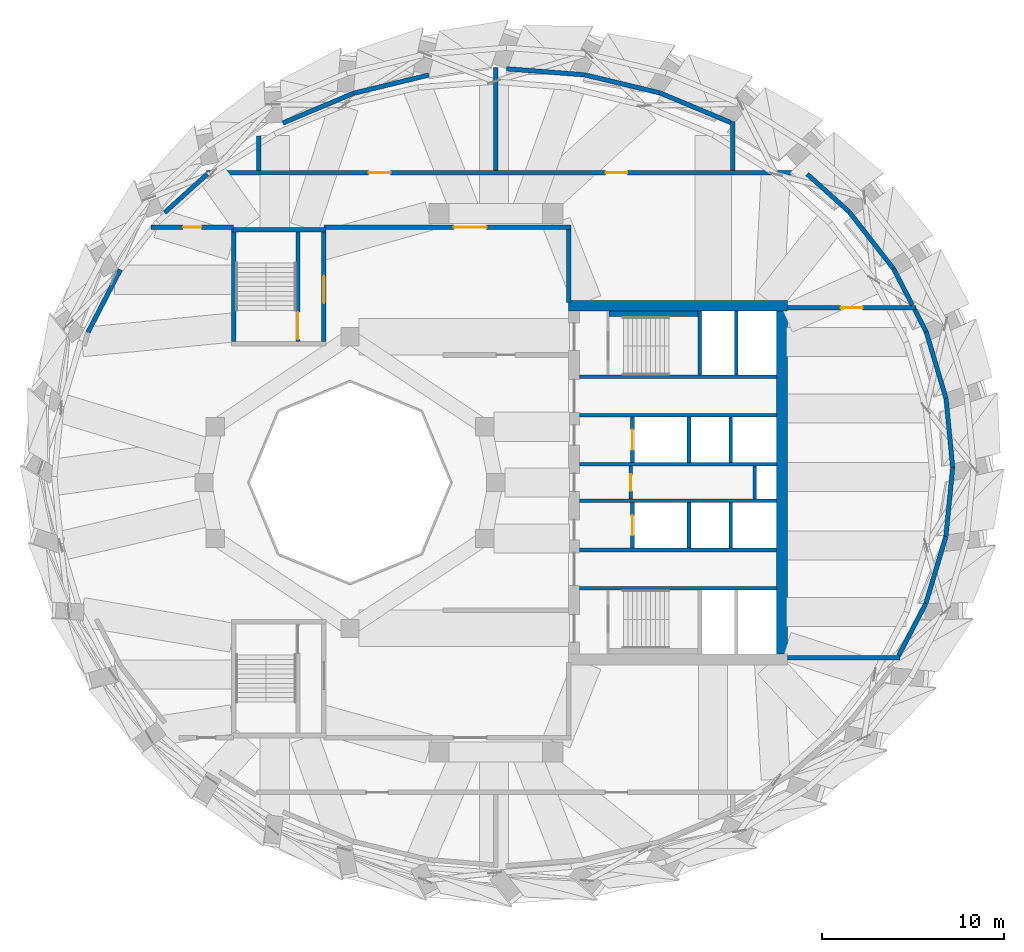
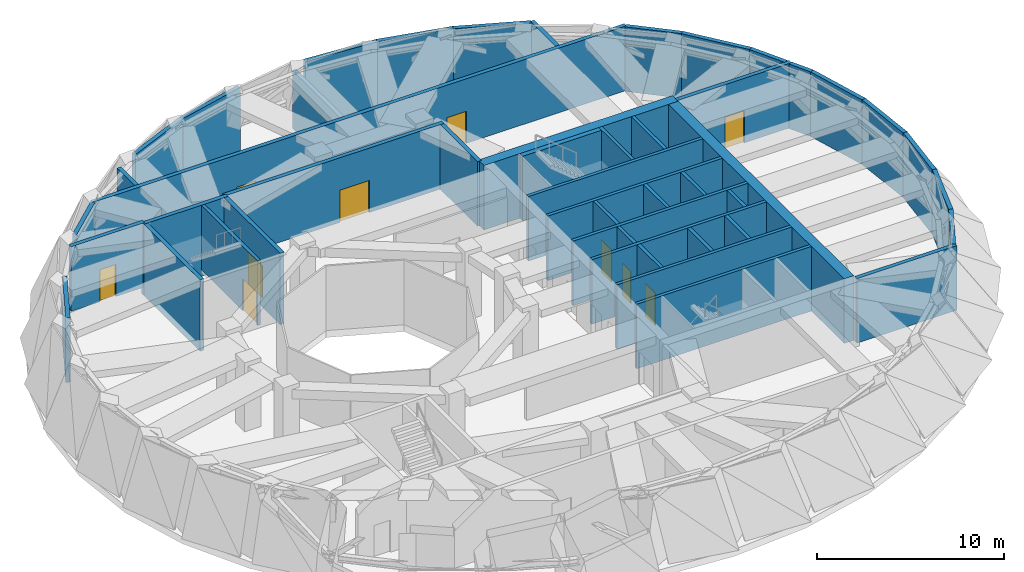
# One storey, part 6 of 14: 48 walls, 10 doors, 10 openings.
"""IFC4 building model written with IfcOpenShell, lengths in metres."""

from ifc_helpers import new_model, si_unit, direction, frame, frame_2d, origin, place, context, subcontext, project, spatial, rectangle, extrude, material, layer, layer_set, type_object, element, fill, save


model = new_model("IFC4")

# Units and contexts
model_context = context("Model", 3, precision=1e-05, world=origin(), true_north=direction((0.0, 1.0)))
body_context = subcontext(model_context, "Body", "Model", "MODEL_VIEW")
ifc_project = project(units=[si_unit("LENGTHUNIT", "METRE"), si_unit("AREAUNIT", "SQUARE_METRE"), si_unit("VOLUMEUNIT", "CUBIC_METRE"), si_unit("PLANEANGLEUNIT", "RADIAN"), si_unit("MASSUNIT", "GRAM", prefix="KILO")], contexts=[model_context])

# Site, building, storey
site_placement = place(None, origin())
site = spatial("IfcSite", under=ifc_project, at=site_placement, CompositionType="ELEMENT")
building_placement = place(site_placement, origin())
building = spatial("IfcBuilding", under=site, at=building_placement, Name="Taillehof Tower", CompositionType="ELEMENT")
storey_placement = place(building_placement, frame((0.0, 0.0, 228.800048828125)))
storey = spatial("IfcBuildingStorey", under=building, at=storey_placement, Name="L65", CompositionType="ELEMENT", Elevation=228.800048828125)

# Wall, opening, door
ifc_material_1 = material(Name="Calcium silicate masonry", Category="masonry")
ifc_layer_1 = layer(ifc_material_1, 0.199951171875)
ifc_layer_set_1 = layer_set([ifc_layer_1], Name="Compartment wall calcium silicate 200")
wall_type_1 = type_object("IfcWallType", Name="Compartment wall calcium silicate 200", PredefinedType="PARTITIONING", material=ifc_layer_set_1)
wall_1_placement = place(storey_placement, frame((7.39990234375, -0.89990234375, 0.0), z_axis=(0.0, 0.0, 1.0), x_axis=(0.0, 1.0, 0.0)))
wall_1 = element("IfcWall", 1, at=wall_1_placement, inside=storey, type_object=wall_type_1, Name="Compartment wall FW", PredefinedType="PARTITIONING", context=body_context, shape_type="SweptSolid", body=[
    extrude(rectangle(XDim=1.7998046875, YDim=0.199951171875, at=frame_2d((0.89990234375, 0.0))), origin(), (0.0, 0.0, 1.0), 4.219970703125),
])
opening_1_placement = place(wall_1_placement, frame((0.449951171875, 0.0, 0.0)))
opening_1 = element("IfcOpeningElement", 2, at=opening_1_placement, cuts=wall_1, Name="Opening D6512", PredefinedType="OPENING", context=body_context, shape_type="SweptSolid", body=[
    extrude(rectangle(XDim=0.89990234375, YDim=2.10009765625, at=frame_2d((0.449951171875, 1.050048828125))), frame((0.0, 0.10986328125, 0.0), z_axis=(0.0, -1.0, 0.0), x_axis=(1.0, 0.0, 0.0)), (0.0, 0.0, 1.0), 0.219970703125),
])
ifc_material_2 = material(Name="Steel-faced fire door", Category="steel")
door_type_1 = type_object("IfcDoorType", Name="Riser and service room door 900x2100", OperationType="SINGLE_SWING_LEFT", PredefinedType="DOOR", material=ifc_material_2)
door_1_placement = place(opening_1_placement, origin())
door_1 = element("IfcDoor", 3, at=door_1_placement, inside=storey, type_object=door_type_1, Name="Door Waste Room", OperationType="SINGLE_SWING_RIGHT", OverallHeight=2.10009765625, OverallWidth=0.89990234375, PredefinedType="DOOR", context=body_context, shape_type="SweptSolid", body=[
    extrude(rectangle(XDim=0.89990234375, YDim=2.10009765625, at=frame_2d((0.449951171875, 1.050048828125))), frame((0.0, 0.02490234375, 0.0), z_axis=(0.0, -1.0, 0.0), x_axis=(1.0, 0.0, 0.0)), (0.0, 0.0, 1.0), 0.050048828125),
])
fill(opening_1, door_1)

# Walls
wall_2_placement = place(storey_placement, frame((14.199951171875, -0.89990234375, 0.0), z_axis=(0.0, 0.0, 1.0), x_axis=(0.0, 1.0, 0.0)))
element("IfcWall", 4, at=wall_2_placement, inside=storey, type_object=wall_type_1, Name="Compartment wall FW", PredefinedType="PARTITIONING", context=body_context, shape_type="SweptSolid", body=[
    extrude(rectangle(XDim=1.7998046875, YDim=0.199951171875, at=frame_2d((0.89990234375, 0.0))), origin(), (0.0, 0.0, 1.0), 4.219970703125),
])
ifc_material_3 = material(Name="Calcium silicate masonry", Category="masonry")
ifc_layer_2 = layer(ifc_material_3, 0.300048828125)
ifc_layer_set_2 = layer_set([ifc_layer_2], Name="Compartment wall lining calcium silicate 300")
wall_type_2 = type_object("IfcWallType", Name="Compartment wall lining calcium silicate 300", PredefinedType="PARTITIONING", material=ifc_layer_set_2)
wall_3_placement = place(storey_placement, frame((6.219970703125, 9.25, 0.0), z_axis=(0.0, 0.0, 1.0), x_axis=(1.0, 0.0, 0.0)))
element("IfcWall", 5, at=wall_3_placement, inside=storey, type_object=wall_type_2, Name="Compartment wall FW", PredefinedType="PARTITIONING", context=body_context, shape_type="SweptSolid", body=[
    extrude(rectangle(XDim=4.880126953125, YDim=0.300048828125, at=frame_2d((2.43994140625, 0.0))), origin(), (0.0, 0.0, 1.0), 4.219970703125),
])
ifc_material_4 = material(Name="Concrete C80/95", Category="concrete")
ifc_layer_3 = layer(ifc_material_4, 0.60009765625)
ifc_layer_set_3 = layer_set([ifc_layer_3], Name="Core wall C80/95 600")
wall_type_3 = type_object("IfcWallType", Name="Core wall C80/95 600", PredefinedType="SHEAR", material=ifc_layer_set_3)
wall_4_placement = place(storey_placement, frame((15.699951171875, -9.39990234375, 0.0), z_axis=(0.0, 0.0, 1.0), x_axis=(0.0, 1.0, 0.0)))
element("IfcWall", 6, at=wall_4_placement, inside=storey, type_object=wall_type_3, Name="Core wall CW05", PredefinedType="SHEAR", context=body_context, shape_type="SweptSolid", body=[
    extrude(rectangle(XDim=18.7998046875, YDim=0.60009765625, at=frame_2d((9.39990234375, 0.0))), origin(), (0.0, 0.0, 1.0), 4.219970703125),
])
wall_5_placement = place(storey_placement, frame((4.0, 9.699951171875, 0.0), z_axis=(0.0, 0.0, 1.0), x_axis=(1.0, 0.0, 0.0)))
element("IfcWall", 7, at=wall_5_placement, inside=storey, type_object=wall_type_3, Name="Core wall CW06", PredefinedType="SHEAR", context=body_context, shape_type="SweptSolid", body=[
    extrude(rectangle(XDim=12.0, YDim=0.60009765625, at=frame_2d((6.0, 0.0))), origin(), (0.0, 0.0, 1.0), 4.219970703125),
])
ifc_material_5 = material(Name="Calcium silicate blockwork", Category="masonry")
ifc_layer_4 = layer(ifc_material_5, 0.25)
ifc_layer_set_4 = layer_set([ifc_layer_4], Name="Fire-resisting wall EI 120 250 mm")
wall_type_4 = type_object("IfcWallType", Name="Fire-resisting wall EI 120 250 mm", PredefinedType="PARTITIONING", material=ifc_layer_set_4)
wall_6_placement = place(storey_placement, frame((-15.82666015625, 16.922119140625, 0.0), z_axis=(0.0, 0.0, 1.0), x_axis=(-0.742562172492, -0.669777142029, 0.0)))
element("IfcWall", 8, at=wall_6_placement, inside=storey, type_object=wall_type_4, Name="Wall TRB / L65-04", PredefinedType="PARTITIONING", context=body_context, shape_type="SweptSolid", body=[
    extrude(rectangle(XDim=3.153076171875, YDim=0.25, at=frame_2d((1.57666015625, 0.0))), origin(), (0.0, 0.0, 1.0), 4.219970703125),
])
wall_7_placement = place(storey_placement, frame((19.38671875, 14.8544921875, 0.0), z_axis=(0.0, 0.0, 1.0), x_axis=(-0.743960662193, 0.668223415565, 0.0)))
element("IfcWall", 9, at=wall_7_placement, inside=storey, type_object=wall_type_4, Name="Wall TRB / L65-04", PredefinedType="PARTITIONING", context=body_context, shape_type="SweptSolid", body=[
    extrude(rectangle(XDim=3.094482421875, YDim=0.25, at=frame_2d((1.54736328125, 0.0))), origin(), (0.0, 0.0, 1.0), 4.219970703125),
])
wall_8_placement = place(storey_placement, frame((21.82275390625, 11.728759765625, 0.0), z_axis=(0.0, 0.0, 1.0), x_axis=(-0.614712300061, 0.788751410872, 0.0)))
element("IfcWall", 10, at=wall_8_placement, inside=storey, type_object=wall_type_4, Name="Wall TRB / L65-04", PredefinedType="PARTITIONING", context=body_context, shape_type="SweptSolid", body=[
    extrude(rectangle(XDim=3.962890625, YDim=0.25, at=frame_2d((1.9814453125, 0.0))), origin(), (0.0, 0.0, 1.0), 4.219970703125),
])
wall_9_placement = place(storey_placement, frame((22.855712890625, 9.7353515625, 0.0), z_axis=(0.0, 0.0, 1.0), x_axis=(-0.460085441134, 0.887874645914, 0.0)))
element("IfcWall", 11, at=wall_9_placement, inside=storey, type_object=wall_type_4, Name="Wall TRB / L65-04", PredefinedType="PARTITIONING", context=body_context, shape_type="SweptSolid", body=[
    extrude(rectangle(XDim=2.2451171875, YDim=0.25, at=frame_2d((1.12255859375, 0.0))), origin(), (0.0, 0.0, 1.0), 4.219970703125),
])
wall_10_placement = place(storey_placement, frame((22.10205078125, -9.4912109375, 0.0), z_axis=(0.0, 0.0, 1.0), x_axis=(0.462075514026, 0.886840582821, 0.0)))
element("IfcWall", 12, at=wall_10_placement, inside=storey, type_object=wall_type_4, Name="Wall TRB / L65-06", PredefinedType="PARTITIONING", context=body_context, shape_type="SweptSolid", body=[
    extrude(rectangle(XDim=3.232421875, YDim=0.25, at=frame_2d((1.6162109375, 0.0))), origin(), (0.0, 0.0, 1.0), 4.219970703125),
])
wall_11_placement = place(storey_placement, frame((23.61083984375, 8.277587890625, 0.0), z_axis=(0.0, 0.0, 1.0), x_axis=(-0.460098184807, 0.887868042187, 0.0)))
element("IfcWall", 13, at=wall_11_placement, inside=storey, type_object=wall_type_4, Name="Wall TRB / L65-06", PredefinedType="PARTITIONING", context=body_context, shape_type="SweptSolid", body=[
    extrude(rectangle(XDim=1.366943359375, YDim=0.25, at=frame_2d((0.68359375, 0.0))), origin(), (0.0, 0.0, 1.0), 4.219970703125),
])
wall_12_placement = place(storey_placement, frame((23.595703125, -6.62451171875, 0.0), z_axis=(0.0, 0.0, 1.0), x_axis=(0.286915093753, 0.957956016201, 0.0)))
element("IfcWall", 14, at=wall_12_placement, inside=storey, type_object=wall_type_4, Name="Wall TRB / L65-06", PredefinedType="PARTITIONING", context=body_context, shape_type="SweptSolid", body=[
    extrude(rectangle(XDim=3.830078125, YDim=0.25, at=frame_2d((1.9150390625, 0.0))), origin(), (0.0, 0.0, 1.0), 4.219970703125),
])
wall_13_placement = place(storey_placement, frame((24.702880859375, 4.606689453125, 0.0), z_axis=(0.0, 0.0, 1.0), x_axis=(-0.285136474366, 0.958486927916, 0.0)))
element("IfcWall", 15, at=wall_13_placement, inside=storey, type_object=wall_type_4, Name="Wall TRB / L65-06", PredefinedType="PARTITIONING", context=body_context, shape_type="SweptSolid", body=[
    extrude(rectangle(XDim=3.829833984375, YDim=0.25, at=frame_2d((1.9150390625, 0.0))), origin(), (0.0, 0.0, 1.0), 4.219970703125),
])
for number, where, z_axis, x_axis, name in (
    (16, (24.694580078125, -2.95556640625, 0.0), (0.0, 0.0, 1.0), (0.098129291026, 0.995173674412, 0.0), "Wall TRB / L65-06"),
    (17, (25.0673828125, 0.8251953125, 0.0), (0.0, 0.0, 1.0), (-0.095946288559, 0.995386512723, 0.0), "Wall TRB / L65-06"),
):
    element("IfcWall", number, at=place(storey_placement, frame(where, z_axis=z_axis, x_axis=x_axis)), inside=storey, type_object=wall_type_4, Name=name, PredefinedType="PARTITIONING", context=body_context, shape_type="SweptSolid", body=[
        extrude(rectangle(XDim=3.799072265625, YDim=0.25, at=frame_2d((1.8994140625, 0.0))), origin(), (0.0, 0.0, 1.0), 4.219970703125),
    ])
wall_14_placement = place(storey_placement, frame((-7.805908203125, 21.354248046875, 0.0), z_axis=(0.0, 0.0, 1.0), x_axis=(-0.92157517218, -0.388199951085, 0.0)))
element("IfcWall", 18, at=wall_14_placement, inside=storey, type_object=wall_type_4, Name="Wall TRB / L65-08", PredefinedType="PARTITIONING", context=body_context, shape_type="SweptSolid", body=[
    extrude(rectangle(XDim=4.19921875, YDim=0.25, at=frame_2d((2.099609375, 0.0))), origin(), (0.0, 0.0, 1.0), 4.219970703125),
])
wall_15_placement = place(storey_placement, frame((-3.67333984375, 22.35693359375, 0.0), z_axis=(0.0, 0.0, 1.0), x_axis=(-0.97180427763, -0.23578898613, 0.0)))
element("IfcWall", 19, at=wall_15_placement, inside=storey, type_object=wall_type_4, Name="Wall TRB / L65-08", PredefinedType="PARTITIONING", context=body_context, shape_type="SweptSolid", body=[
    extrude(rectangle(XDim=4.25244140625, YDim=0.25, at=frame_2d((2.126220703125, 0.0))), origin(), (0.0, 0.0, 1.0), 4.219970703125),
])
wall_16_placement = place(storey_placement, frame((4.86279296875, 22.370361328125, 0.0), z_axis=(0.0, 0.0, 1.0), x_axis=(-0.997041726215, 0.076862189577, 0.0)))
element("IfcWall", 20, at=wall_16_placement, inside=storey, type_object=wall_type_4, Name="Wall TRB / L65-09", PredefinedType="PARTITIONING", context=body_context, shape_type="SweptSolid", body=[
    extrude(rectangle(XDim=4.28173828125, YDim=0.25, at=frame_2d((2.140869140625, 0.0))), origin(), (0.0, 0.0, 1.0), 4.219970703125),
])
wall_17_placement = place(storey_placement, frame((9.0, 21.37939453125, 0.0), z_axis=(0.0, 0.0, 1.0), x_axis=(-0.972491908443, 0.232936660945, 0.0)))
element("IfcWall", 21, at=wall_17_placement, inside=storey, type_object=wall_type_4, Name="Wall TRB / L65-09", PredefinedType="PARTITIONING", context=body_context, shape_type="SweptSolid", body=[
    extrude(rectangle(XDim=4.254150390625, YDim=0.25, at=frame_2d((2.126953125, 0.0))), origin(), (0.0, 0.0, 1.0), 4.219970703125),
])
wall_18_placement = place(storey_placement, frame((12.89892578125, 19.748779296875, 0.0), z_axis=(0.0, 0.0, 1.0), x_axis=(-0.922566791686, 0.385837420267, 0.0)))
element("IfcWall", 22, at=wall_18_placement, inside=storey, type_object=wall_type_4, Name="Wall TRB / L65-09", PredefinedType="PARTITIONING", context=body_context, shape_type="SweptSolid", body=[
    extrude(rectangle(XDim=4.22607421875, YDim=0.25, at=frame_2d((2.113037109375, 0.0))), origin(), (0.0, 0.0, 1.0), 4.219970703125),
])
wall_19_placement = place(storey_placement, frame((-20.5947265625, 11.683349609375, 0.0), z_axis=(0.0, 0.0, 1.0), x_axis=(-0.458928175317, -0.888473370394, 0.0)))
element("IfcWall", 23, at=wall_19_placement, inside=storey, type_object=wall_type_4, Name="Wall TRB / L65-13", PredefinedType="PARTITIONING", context=body_context, shape_type="SweptSolid", body=[
    extrude(rectangle(XDim=3.88037109375, YDim=0.25, at=frame_2d((1.940185546875, 0.0))), origin(), (0.0, 0.0, 1.0), 4.219970703125),
])
wall_20_placement = place(storey_placement, frame((15.998046875, -9.60009765625, 0.0), z_axis=(0.0, 0.0, 1.0), x_axis=(1.0, 0.0, 0.0)))
element("IfcWall", 24, at=wall_20_placement, inside=storey, type_object=wall_type_4, Name="Wall L65-05 / L65-06", PredefinedType="PARTITIONING", context=body_context, shape_type="SweptSolid", body=[
    extrude(rectangle(XDim=6.17236328125, YDim=0.25, at=frame_2d((3.086181640625, 0.0))), origin(), (0.0, 0.0, 1.0), 4.219970703125),
])

# Wall, opening, door
wall_21_placement = place(storey_placement, frame((15.998046875, 9.60009765625, 0.0), z_axis=(0.0, 0.0, 1.0), x_axis=(1.0, 0.0, 0.0)))
wall_21 = element("IfcWall", 25, at=wall_21_placement, inside=storey, type_object=wall_type_4, Name="Wall L65-04 / L65-06", PredefinedType="PARTITIONING", context=body_context, shape_type="SweptSolid", body=[
    extrude(rectangle(XDim=7.052734375, YDim=0.25, at=frame_2d((3.5263671875, 0.0))), origin(), (0.0, 0.0, 1.0), 4.219970703125),
])
opening_2_placement = place(wall_21_placement, frame((2.926025390625, 0.0, 0.0)))
opening_2 = element("IfcOpeningElement", 26, at=opening_2_placement, cuts=wall_21, Name="Opening D6546", PredefinedType="OPENING", context=body_context, shape_type="SweptSolid", body=[
    extrude(rectangle(XDim=1.199951171875, YDim=2.10009765625, at=frame_2d((0.60009765625, 1.050048828125))), frame((0.0, 0.135009765625, 0.0), z_axis=(0.0, -1.0, 0.0), x_axis=(1.0, 0.0, 0.0)), (0.0, 0.0, 1.0), 0.27001953125),
])
ifc_material_6 = material(Name="Hollow metal door set")
door_type_2 = type_object("IfcDoorType", Name="Single door 1200 x 2100 FD120S", OperationType="SINGLE_SWING_LEFT", PredefinedType="DOOR", material=ifc_material_6)
door_2_placement = place(opening_2_placement, origin())
door_2 = element("IfcDoor", 27, at=door_2_placement, inside=storey, type_object=door_type_2, Name="Door D6546", OperationType="SINGLE_SWING_LEFT", OverallHeight=2.10009765625, OverallWidth=1.199951171875, PredefinedType="DOOR", context=body_context, shape_type="SweptSolid", body=[
    extrude(rectangle(XDim=1.199951171875, YDim=2.10009765625, at=frame_2d((0.60009765625, 1.050048828125))), frame((0.0, 0.02490234375, 0.0), z_axis=(0.0, -1.0, 0.0), x_axis=(1.0, 0.0, 0.0)), (0.0, 0.0, 1.0), 0.050048828125),
])
fill(opening_2, door_2)

wall_22_placement = place(storey_placement, frame((-18.921875, 14.0, 0.0), z_axis=(0.0, 0.0, 1.0), x_axis=(1.0, 0.0, 0.0)))
wall_22 = element("IfcWall", 28, at=wall_22_placement, inside=storey, type_object=wall_type_4, Name="Wall L65-04 / L65-13", PredefinedType="PARTITIONING", context=body_context, shape_type="SweptSolid", body=[
    extrude(rectangle(XDim=4.546875, YDim=0.25, at=frame_2d((2.2734375, 0.0))), origin(), (0.0, 0.0, 1.0), 4.219970703125),
])
opening_3_placement = place(wall_22_placement, frame((1.77392578125, 0.0, 0.0)))
opening_3 = element("IfcOpeningElement", 29, at=opening_3_placement, cuts=wall_22, Name="Opening D6547", PredefinedType="OPENING", context=body_context, shape_type="SweptSolid", body=[
    extrude(rectangle(XDim=1.0, YDim=2.10009765625, at=frame_2d((0.5, 1.050048828125))), frame((0.0, 0.135009765625, 0.0), z_axis=(0.0, -1.0, 0.0), x_axis=(1.0, 0.0, 0.0)), (0.0, 0.0, 1.0), 0.27001953125),
])
ifc_material_7 = material(Name="Hollow metal door set")
door_type_3 = type_object("IfcDoorType", Name="Single door 1000 x 2100 FD120S", OperationType="SINGLE_SWING_LEFT", PredefinedType="DOOR", material=ifc_material_7)
door_3_placement = place(opening_3_placement, origin())
door_3 = element("IfcDoor", 30, at=door_3_placement, inside=storey, type_object=door_type_3, Name="Door D6547", OperationType="SINGLE_SWING_LEFT", OverallHeight=2.10009765625, OverallWidth=1.0, PredefinedType="DOOR", context=body_context, shape_type="SweptSolid", body=[
    extrude(rectangle(XDim=1.0, YDim=2.10009765625, at=frame_2d((0.5, 1.050048828125))), frame((0.0, 0.02490234375, 0.0), z_axis=(0.0, -1.0, 0.0), x_axis=(1.0, 0.0, 0.0)), (0.0, 0.0, 1.0), 0.050048828125),
])
fill(opening_3, door_3)

wall_23_placement = place(storey_placement, frame((-9.425048828125, 14.0, 0.0), z_axis=(0.0, 0.0, 1.0), x_axis=(1.0, 0.0, 0.0)))
wall_23 = element("IfcWall", 31, at=wall_23_placement, inside=storey, type_object=wall_type_4, Name="Wall L65-01 / L65-04", PredefinedType="PARTITIONING", context=body_context, shape_type="SweptSolid", body=[
    extrude(rectangle(XDim=13.550048828125, YDim=0.25, at=frame_2d((6.77490234375, 0.0))), origin(), (0.0, 0.0, 1.0), 4.219970703125),
])
opening_4_placement = place(wall_23_placement, frame((7.125, 0.0, 0.0)))
opening_4 = element("IfcOpeningElement", 32, at=opening_4_placement, cuts=wall_23, Name="Opening D6548", PredefinedType="OPENING", context=body_context, shape_type="SweptSolid", body=[
    extrude(rectangle(XDim=1.800048828125, YDim=2.10009765625, at=frame_2d((0.89990234375, 1.050048828125))), frame((0.0, 0.135009765625, 0.0), z_axis=(0.0, -1.0, 0.0), x_axis=(1.0, 0.0, 0.0)), (0.0, 0.0, 1.0), 0.27001953125),
])
ifc_material_8 = material(Name="Hollow metal door set")
door_type_4 = type_object("IfcDoorType", Name="Double door 1800 x 2100 FD120S", OperationType="DOUBLE_DOOR_SINGLE_SWING", PredefinedType="DOOR", material=ifc_material_8)
door_4_placement = place(opening_4_placement, origin())
door_4 = element("IfcDoor", 33, at=door_4_placement, inside=storey, type_object=door_type_4, Name="Door D6548", OperationType="DOUBLE_DOOR_SINGLE_SWING", OverallHeight=2.10009765625, OverallWidth=1.800048828125, PredefinedType="DOOR", context=body_context, shape_type="SweptSolid", body=[
    extrude(rectangle(XDim=1.800048828125, YDim=2.10009765625, at=frame_2d((0.89990234375, 1.050048828125))), frame((0.0, 0.02490234375, 0.0), z_axis=(0.0, -1.0, 0.0), x_axis=(1.0, 0.0, 0.0)), (0.0, 0.0, 1.0), 0.050048828125),
])
fill(opening_4, door_4)

# Wall, openings, doors
wall_24_placement = place(storey_placement, frame((-15.865234375, 17.0, 0.0), z_axis=(0.0, 0.0, 1.0), x_axis=(1.0, 0.0, 0.0)))
wall_24 = element("IfcWall", 34, at=wall_24_placement, inside=storey, type_object=wall_type_4, Name="Wall L65-04 / L65-07", PredefinedType="PARTITIONING", context=body_context, shape_type="SweptSolid", body=[
    extrude(rectangle(XDim=32.988037109375, YDim=0.25, at=frame_2d((16.494140625, 0.0))), origin(), (0.0, 0.0, 1.0), 4.219970703125),
])
opening_5_placement = place(wall_24_placement, frame((8.890380859375, 0.0, 0.0)))
opening_5 = element("IfcOpeningElement", 35, at=opening_5_placement, cuts=wall_24, Name="Opening D6549", PredefinedType="OPENING", context=body_context, shape_type="SweptSolid", body=[
    extrude(rectangle(XDim=1.199951171875, YDim=2.10009765625, at=frame_2d((0.60009765625, 1.050048828125))), frame((0.0, 0.135009765625, 0.0), z_axis=(0.0, -1.0, 0.0), x_axis=(1.0, 0.0, 0.0)), (0.0, 0.0, 1.0), 0.27001953125),
])
opening_6_placement = place(wall_24_placement, frame((21.890380859375, 0.0, 0.0)))
opening_6 = element("IfcOpeningElement", 36, at=opening_6_placement, cuts=wall_24, Name="Opening D6550", PredefinedType="OPENING", context=body_context, shape_type="SweptSolid", body=[
    extrude(rectangle(XDim=1.199951171875, YDim=2.10009765625, at=frame_2d((0.60009765625, 1.050048828125))), frame((0.0, 0.135009765625, 0.0), z_axis=(0.0, -1.0, 0.0), x_axis=(1.0, 0.0, 0.0)), (0.0, 0.0, 1.0), 0.27001953125),
])
door_5_placement = place(opening_5_placement, origin())
door_5 = element("IfcDoor", 37, at=door_5_placement, inside=storey, type_object=door_type_2, Name="Door D6549", OperationType="SINGLE_SWING_LEFT", OverallHeight=2.10009765625, OverallWidth=1.199951171875, PredefinedType="DOOR", context=body_context, shape_type="SweptSolid", body=[
    extrude(rectangle(XDim=1.199951171875, YDim=2.10009765625, at=frame_2d((0.60009765625, 1.050048828125))), frame((0.0, 0.02490234375, 0.0), z_axis=(0.0, -1.0, 0.0), x_axis=(1.0, 0.0, 0.0)), (0.0, 0.0, 1.0), 0.050048828125),
])
fill(opening_5, door_5)
door_6_placement = place(opening_6_placement, origin())
door_6 = element("IfcDoor", 38, at=door_6_placement, inside=storey, type_object=door_type_2, Name="Door D6550", OperationType="SINGLE_SWING_RIGHT", OverallHeight=2.10009765625, OverallWidth=1.199951171875, PredefinedType="DOOR", context=body_context, shape_type="SweptSolid", body=[
    extrude(rectangle(XDim=1.199951171875, YDim=2.10009765625, at=frame_2d((0.60009765625, 1.050048828125))), frame((0.0, 0.02490234375, 0.0), z_axis=(0.0, -1.0, 0.0), x_axis=(1.0, 0.0, 0.0)), (0.0, 0.0, 1.0), 0.050048828125),
])
fill(opening_6, door_6)

# Walls
wall_25_placement = place(storey_placement, frame((-13.0, 17.125, 0.0), z_axis=(0.0, 0.0, 1.0), x_axis=(0.0, 1.0, 0.0)))
element("IfcWall", 39, at=wall_25_placement, inside=storey, type_object=wall_type_4, Name="Wall L65-07 / L65-08", PredefinedType="PARTITIONING", context=body_context, shape_type="SweptSolid", body=[
    extrude(rectangle(XDim=1.88720703125, YDim=0.25, at=frame_2d((0.943603515625, 0.0))), origin(), (0.0, 0.0, 1.0), 4.219970703125),
])
wall_26_placement = place(storey_placement, frame((0.0, 17.125, 0.0), z_axis=(0.0, 0.0, 1.0), x_axis=(0.0, 1.0, 0.0)))
element("IfcWall", 40, at=wall_26_placement, inside=storey, type_object=wall_type_4, Name="Wall L65-08 / L65-09", PredefinedType="PARTITIONING", context=body_context, shape_type="SweptSolid", body=[
    extrude(rectangle(XDim=5.65185546875, YDim=0.25, at=frame_2d((2.825927734375, 0.0))), origin(), (0.0, 0.0, 1.0), 3.77001953125),
])
wall_27_placement = place(storey_placement, frame((4.0, 9.875, 0.0), z_axis=(0.0, 0.0, 1.0), x_axis=(0.0, 1.0, 0.0)))
element("IfcWall", 41, at=wall_27_placement, inside=storey, type_object=wall_type_4, Name="Wall L65-01 / L65-04", PredefinedType="PARTITIONING", context=body_context, shape_type="SweptSolid", body=[
    extrude(rectangle(XDim=4.0, YDim=0.25, at=frame_2d((2.0, 0.0))), origin(), (0.0, 0.0, 1.0), 4.219970703125),
])
wall_28_placement = place(storey_placement, frame((13.0, 17.125, 0.0), z_axis=(0.0, 0.0, 1.0), x_axis=(0.0, 1.0, 0.0)))
element("IfcWall", 42, at=wall_28_placement, inside=storey, type_object=wall_type_4, Name="Wall L65-09 / L65-10", PredefinedType="PARTITIONING", context=body_context, shape_type="SweptSolid", body=[
    extrude(rectangle(XDim=2.680908203125, YDim=0.25, at=frame_2d((1.34033203125, 0.0))), origin(), (0.0, 0.0, 1.0), 4.219970703125),
])
ifc_material_9 = material(Name="Concrete C50/60", Category="concrete")
ifc_layer_5 = layer(ifc_material_9, 0.199951171875)
ifc_layer_set_5 = layer_set([ifc_layer_5], Name="Shaft wall C50/60 200")
wall_type_5 = type_object("IfcWallType", Name="Shaft wall C50/60 200", PredefinedType="SHEAR", material=ifc_layer_set_5)
for number, where, z_axis, x_axis, name in (
    (43, (4.60009765625, 5.800048828125, 0.0), (0.0, 0.0, 1.0), (1.0, 0.0, 0.0), "Shaft wall SW"),
    (44, (4.60009765625, 3.699951171875, 0.0), (0.0, 0.0, 1.0), (1.0, 0.0, 0.0), "Shaft wall SW"),
    (45, (4.60009765625, 1.0, 0.0), (0.0, 0.0, 1.0), (1.0, 0.0, 0.0), "Shaft wall SW"),
    (46, (4.60009765625, -1.0, 0.0), (0.0, 0.0, 1.0), (1.0, 0.0, 0.0), "Shaft wall SW"),
    (47, (4.60009765625, -3.699951171875, 0.0), (0.0, 0.0, 1.0), (1.0, 0.0, 0.0), "Shaft wall SW"),
    (48, (4.60009765625, -5.800048828125, 0.0), (0.0, 0.0, 1.0), (1.0, 0.0, 0.0), "Shaft wall SW"),
):
    element("IfcWall", number, at=place(storey_placement, frame(where, z_axis=z_axis, x_axis=x_axis)), inside=storey, type_object=wall_type_5, Name=name, PredefinedType="SHEAR", context=body_context, shape_type="SweptSolid", body=[
        extrude(rectangle(XDim=10.7998046875, YDim=0.199951171875, at=frame_2d((5.39990234375, 0.0))), origin(), (0.0, 0.0, 1.0), 4.219970703125),
    ])
for number, where, z_axis, x_axis, name in (
    (49, (11.199951171875, 5.89990234375, 0.0), (0.0, 0.0, 1.0), (0.0, 1.0, 0.0), "Shaft wall SW"),
    (50, (13.199951171875, 5.89990234375, 0.0), (0.0, 0.0, 1.0), (0.0, 1.0, 0.0), "Shaft wall SW"),
):
    element("IfcWall", number, at=place(storey_placement, frame(where, z_axis=z_axis, x_axis=x_axis)), inside=storey, type_object=wall_type_5, Name=name, PredefinedType="SHEAR", context=body_context, shape_type="SweptSolid", body=[
        extrude(rectangle(XDim=3.5, YDim=0.199951171875, at=frame_2d((1.75, 0.0))), origin(), (0.0, 0.0, 1.0), 4.219970703125),
    ])

# Wall, opening, door
wall_29_placement = place(storey_placement, frame((7.5, 1.10009765625, 0.0), z_axis=(0.0, 0.0, 1.0), x_axis=(0.0, 1.0, 0.0)))
wall_29 = element("IfcWall", 51, at=wall_29_placement, inside=storey, type_object=wall_type_5, Name="Shaft wall SW", PredefinedType="SHEAR", context=body_context, shape_type="SweptSolid", body=[
    extrude(rectangle(XDim=2.5, YDim=0.199951171875, at=frame_2d((1.25, 0.0))), origin(), (0.0, 0.0, 1.0), 4.219970703125),
])
opening_7_placement = place(wall_29_placement, frame((0.699951171875, 0.0, 0.0)))
opening_7 = element("IfcOpeningElement", 52, at=opening_7_placement, cuts=wall_29, Name="Opening LD1", PredefinedType="OPENING", context=body_context, shape_type="SweptSolid", body=[
    extrude(rectangle(XDim=1.10009765625, YDim=2.10009765625, at=frame_2d((0.550048828125, 1.050048828125))), frame((0.0, 0.10986328125, 0.0), z_axis=(0.0, -1.0, 0.0), x_axis=(1.0, 0.0, 0.0)), (0.0, 0.0, 1.0), 0.219970703125),
])
ifc_material_10 = material(Name="Stainless steel", Category="steel")
door_type_5 = type_object("IfcDoorType", Name="Lift landing door LD1 1100x2100", OperationType="DOUBLE_DOOR_SLIDING", PredefinedType="DOOR", material=ifc_material_10)
door_7_placement = place(opening_7_placement, origin())
door_7 = element("IfcDoor", 53, at=door_7_placement, inside=storey, type_object=door_type_5, Name="Landing door FF1", OperationType="DOUBLE_DOOR_SLIDING", OverallHeight=2.10009765625, OverallWidth=1.10009765625, PredefinedType="DOOR", context=body_context, shape_type="SweptSolid", body=[
    extrude(rectangle(XDim=1.10009765625, YDim=2.10009765625, at=frame_2d((0.550048828125, 1.050048828125))), frame((0.0, 0.02490234375, 0.0), z_axis=(0.0, -1.0, 0.0), x_axis=(1.0, 0.0, 0.0)), (0.0, 0.0, 1.0), 0.050048828125),
])
fill(opening_7, door_7)

wall_30_placement = place(storey_placement, frame((7.5, -3.60009765625, 0.0), z_axis=(0.0, 0.0, 1.0), x_axis=(0.0, 1.0, 0.0)))
wall_30 = element("IfcWall", 54, at=wall_30_placement, inside=storey, type_object=wall_type_5, Name="Shaft wall SW", PredefinedType="SHEAR", context=body_context, shape_type="SweptSolid", body=[
    extrude(rectangle(XDim=2.5, YDim=0.199951171875, at=frame_2d((1.25, 0.0))), origin(), (0.0, 0.0, 1.0), 4.219970703125),
])
opening_8_placement = place(wall_30_placement, frame((0.699951171875, 0.0, 0.0)))
opening_8 = element("IfcOpeningElement", 55, at=opening_8_placement, cuts=wall_30, Name="Opening LD1", PredefinedType="OPENING", context=body_context, shape_type="SweptSolid", body=[
    extrude(rectangle(XDim=1.10009765625, YDim=2.10009765625, at=frame_2d((0.550048828125, 1.050048828125))), frame((0.0, 0.10986328125, 0.0), z_axis=(0.0, -1.0, 0.0), x_axis=(1.0, 0.0, 0.0)), (0.0, 0.0, 1.0), 0.219970703125),
])
door_8_placement = place(opening_8_placement, origin())
door_8 = element("IfcDoor", 56, at=door_8_placement, inside=storey, type_object=door_type_5, Name="Landing door FF2", OperationType="DOUBLE_DOOR_SLIDING", OverallHeight=2.10009765625, OverallWidth=1.10009765625, PredefinedType="DOOR", context=body_context, shape_type="SweptSolid", body=[
    extrude(rectangle(XDim=1.10009765625, YDim=2.10009765625, at=frame_2d((0.550048828125, 1.050048828125))), frame((0.0, 0.02490234375, 0.0), z_axis=(0.0, -1.0, 0.0), x_axis=(1.0, 0.0, 0.0)), (0.0, 0.0, 1.0), 0.050048828125),
])
fill(opening_8, door_8)

# Walls
for number, where, z_axis, x_axis, name in (
    (57, (10.60009765625, 1.10009765625, 0.0), (0.0, 0.0, 1.0), (0.0, 1.0, 0.0), "Shaft wall SW"),
    (58, (10.60009765625, -3.60009765625, 0.0), (0.0, 0.0, 1.0), (0.0, 1.0, 0.0), "Shaft wall SW"),
    (59, (12.89990234375, 1.10009765625, 0.0), (0.0, 0.0, 1.0), (0.0, 1.0, 0.0), "Shaft wall SW"),
    (60, (12.89990234375, -3.60009765625, 0.0), (0.0, 0.0, 1.0), (0.0, 1.0, 0.0), "Shaft wall SW"),
):
    element("IfcWall", number, at=place(storey_placement, frame(where, z_axis=z_axis, x_axis=x_axis)), inside=storey, type_object=wall_type_5, Name=name, PredefinedType="SHEAR", context=body_context, shape_type="SweptSolid", body=[
        extrude(rectangle(XDim=2.5, YDim=0.199951171875, at=frame_2d((1.25, 0.0))), origin(), (0.0, 0.0, 1.0), 4.219970703125),
    ])

# Wall, opening, door
wall_31_placement = place(storey_placement, frame((-10.85009765625, 7.75, 0.0), z_axis=(0.0, 0.0, 1.0), x_axis=(0.0, 1.0, 0.0)))
wall_31 = element("IfcWall", 61, at=wall_31_placement, inside=storey, type_object=wall_type_5, Name="Shaft wall SW", PredefinedType="SHEAR", context=body_context, shape_type="SweptSolid", body=[
    extrude(rectangle(XDim=6.0, YDim=0.199951171875, at=frame_2d((3.0, 0.0))), origin(), (0.0, 0.0, 1.0), 4.219970703125),
])
opening_9_placement = place(wall_31_placement, frame((0.10009765625, 0.0, 0.0)))
opening_9 = element("IfcOpeningElement", 62, at=opening_9_placement, cuts=wall_31, Name="Opening D6510", PredefinedType="OPENING", context=body_context, shape_type="SweptSolid", body=[
    extrude(rectangle(XDim=1.5, YDim=2.10009765625, at=frame_2d((0.75, 1.050048828125))), frame((0.0, 0.10986328125, 0.0), z_axis=(0.0, -1.0, 0.0), x_axis=(1.0, 0.0, 0.0)), (0.0, 0.0, 1.0), 0.219970703125),
])
ifc_material_11 = material(Name="Steel-faced fire door", Category="steel")
door_type_6 = type_object("IfcDoorType", Name="Stair door 1500x2100", OperationType="DOUBLE_DOOR_SINGLE_SWING", PredefinedType="DOOR", material=ifc_material_11)
door_9_placement = place(opening_9_placement, origin())
door_9 = element("IfcDoor", 63, at=door_9_placement, inside=storey, type_object=door_type_6, Name="Stair lobby door S3", OperationType="DOUBLE_DOOR_SINGLE_SWING", OverallHeight=2.10009765625, OverallWidth=1.5, PredefinedType="DOOR", context=body_context, shape_type="SweptSolid", body=[
    extrude(rectangle(XDim=1.5, YDim=2.10009765625, at=frame_2d((0.75, 1.050048828125))), frame((0.0, 0.02490234375, 0.0), z_axis=(0.0, -1.0, 0.0), x_axis=(1.0, 0.0, 0.0)), (0.0, 0.0, 1.0), 0.050048828125),
])
fill(opening_9, door_9)

# Wall
ifc_material_12 = material(Name="Concrete C50/60", Category="concrete")
ifc_layer_6 = layer(ifc_material_12, 0.25)
ifc_layer_set_6 = layer_set([ifc_layer_6], Name="Stair wall C50/60 250")
wall_type_6 = type_object("IfcWallType", Name="Stair wall C50/60 250", PredefinedType="SHEAR", material=ifc_layer_set_6)
wall_32_placement = place(storey_placement, frame((-14.375, 7.75, -0.449951171875), z_axis=(0.0, 0.0, 1.0), x_axis=(0.0, 1.0, 0.0)))
element("IfcWall", 64, at=wall_32_placement, inside=storey, type_object=wall_type_6, Name="Stair wall SC", PredefinedType="SHEAR", context=body_context, shape_type="SweptSolid", body=[
    extrude(rectangle(XDim=6.0, YDim=0.25, at=frame_2d((3.0, 0.0))), origin(), (0.0, 0.0, 1.0), 4.669921875),
])

# Wall, opening, door
wall_33_placement = place(storey_placement, frame((-9.425048828125, 7.75, -0.449951171875), z_axis=(0.0, 0.0, 1.0), x_axis=(0.0, 1.0, 0.0)))
wall_33 = element("IfcWall", 65, at=wall_33_placement, inside=storey, type_object=wall_type_6, Name="Stair wall SC", PredefinedType="SHEAR", context=body_context, shape_type="SweptSolid", body=[
    extrude(rectangle(XDim=6.0, YDim=0.25, at=frame_2d((3.0, 0.0))), origin(), (0.0, 0.0, 1.0), 4.669921875),
])
opening_10_placement = place(wall_33_placement, frame((2.10009765625, 0.0, 0.449951171875)))
opening_10 = element("IfcOpeningElement", 66, at=opening_10_placement, cuts=wall_33, Name="Opening D6513", PredefinedType="OPENING", context=body_context, shape_type="SweptSolid", body=[
    extrude(rectangle(XDim=1.5, YDim=2.10009765625, at=frame_2d((0.75, 1.050048828125))), frame((0.0, 0.135009765625, 0.0), z_axis=(0.0, -1.0, 0.0), x_axis=(1.0, 0.0, 0.0)), (0.0, 0.0, 1.0), 0.27001953125),
])
door_10_placement = place(opening_10_placement, origin())
door_10 = element("IfcDoor", 67, at=door_10_placement, inside=storey, type_object=door_type_6, Name="Stair door S3", OperationType="DOUBLE_DOOR_SINGLE_SWING", OverallHeight=2.10009765625, OverallWidth=1.5, PredefinedType="DOOR", context=body_context, shape_type="SweptSolid", body=[
    extrude(rectangle(XDim=1.5, YDim=2.10009765625, at=frame_2d((0.75, 1.050048828125))), frame((0.0, 0.02490234375, 0.0), z_axis=(0.0, -1.0, 0.0), x_axis=(1.0, 0.0, 0.0)), (0.0, 0.0, 1.0), 0.050048828125),
])
fill(opening_10, door_10)

# Wall
wall_34_placement = place(storey_placement, frame((-14.5, 13.875, -0.449951171875), z_axis=(0.0, 0.0, 1.0), x_axis=(1.0, 0.0, 0.0)))
element("IfcWall", 68, at=wall_34_placement, inside=storey, type_object=wall_type_6, Name="Stair wall SC", PredefinedType="SHEAR", context=body_context, shape_type="SweptSolid", body=[
    extrude(rectangle(XDim=5.199951171875, YDim=0.25, at=frame_2d((2.60009765625, 0.0))), origin(), (0.0, 0.0, 1.0), 4.669921875),
])

save(model, "model.ifc")
